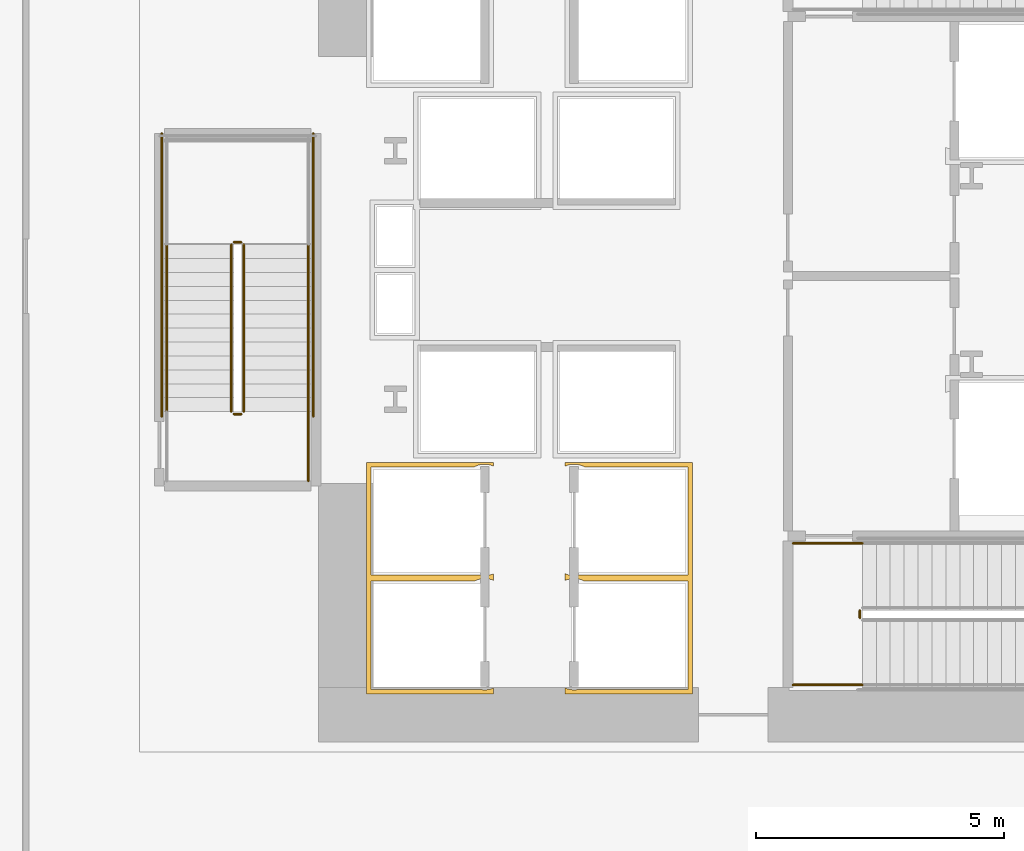
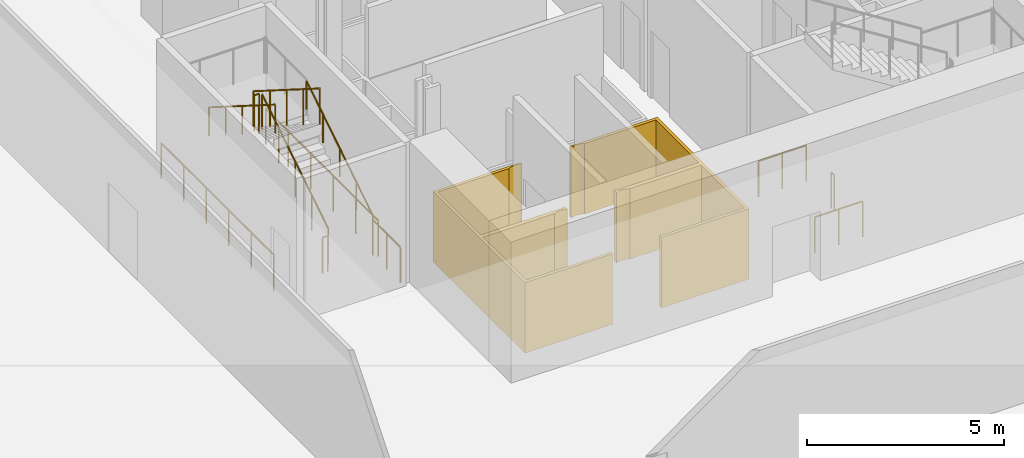
# One storey, part 11 of 18: 12 railings, 2 coverings.
"""IFC4 building model written with IfcOpenShell, lengths in metres."""

from ifc_helpers import new_model, si_unit, direction, frame, origin, origin_2d, place, context, subcontext, project, spatial, polyline, circle, outline, extrude, material, layer, layer_set, type_object, element, save


model = new_model("IFC4")

# Units and contexts
model_context = context("Model", 3, precision=1e-05, world=origin(), true_north=direction((0.0, 1.0)))
body_context = subcontext(model_context, "Body", "Model", "MODEL_VIEW")
ifc_project = project(units=[si_unit("LENGTHUNIT", "METRE"), si_unit("AREAUNIT", "SQUARE_METRE"), si_unit("VOLUMEUNIT", "CUBIC_METRE"), si_unit("PLANEANGLEUNIT", "RADIAN"), si_unit("MASSUNIT", "GRAM", prefix="KILO")], contexts=[model_context])

# Site, building, storey
site_placement = place(None, origin())
site = spatial("IfcSite", under=ifc_project, at=site_placement, CompositionType="ELEMENT")
building_placement = place(site_placement, origin())
building = spatial("IfcBuilding", under=site, at=building_placement, Name="Valkerne Bourse Tower", CompositionType="ELEMENT")
storey_placement = place(building_placement, frame((0.0, 0.0, 10.199951171875)))
storey = spatial("IfcBuildingStorey", under=building, at=storey_placement, Name="L02", CompositionType="ELEMENT", Elevation=10.199951171875)

# Coverings
ifc_material_1 = material(Name="Gypsum Shaftwall Liner Board", Category="gypsum")
ifc_layer = layer(ifc_material_1, 0.080078125)
ifc_layer_set = layer_set([ifc_layer], Name="Gypsum Shaftwall Liner Board")
covering_type = type_object("IfcCoveringType", Name="COV-SHF-CLAD", PredefinedType="CLADDING", material=ifc_layer_set)
covering_1_placement = place(storey_placement, origin())
element("IfcCovering", 1, at=covering_1_placement, inside=storey, type_object=covering_type, Name="L02 Hoistway & Riser Shaftwall Liner 01", PredefinedType="CLADDING", context=body_context, shape_type="SweptSolid", body=[
    extrude(outline(polyline([(38.169921875, 23.1298828125), (40.72998046875, 23.1298828125), (40.72998046875, 23.052001953125), (40.72216796875, 23.0556640625), (40.6806640625, 23.070556640625), (40.6376953125, 23.081298828125), (40.593994140625, 23.087890625), (40.550048828125, 23.090087890625), (40.505859375, 23.087890625), (40.462158203125, 23.081298828125), (40.41943359375, 23.070556640625), (40.377685546875, 23.0556640625), (40.344482421875, 23.0400390625), (38.260009765625, 23.0400390625), (38.260009765625, 20.860107421875), (40.456787109375, 20.860107421875), (40.462158203125, 20.858642578125), (40.505859375, 20.852294921875), (40.550048828125, 20.85009765625), (40.593994140625, 20.852294921875), (40.6376953125, 20.858642578125), (40.6806640625, 20.869384765625), (40.72216796875, 20.88427734375), (40.72998046875, 20.887939453125), (40.72998046875, 20.830078125), (40.72998046875, 20.77001953125), (40.72998046875, 20.752197265625), (40.72216796875, 20.755615234375), (40.6806640625, 20.7705078125), (40.6376953125, 20.781494140625), (40.593994140625, 20.787841796875), (40.550048828125, 20.7900390625), (40.505859375, 20.787841796875), (40.462158203125, 20.781494140625), (40.41943359375, 20.7705078125), (40.377685546875, 20.755615234375), (40.344482421875, 20.739990234375), (38.260009765625, 20.739990234375), (38.260009765625, 18.56005859375), (40.456787109375, 18.56005859375), (40.462158203125, 18.55859375), (40.505859375, 18.55224609375), (40.550048828125, 18.550048828125), (40.593994140625, 18.55224609375), (40.6376953125, 18.55859375), (40.6806640625, 18.5693359375), (40.72216796875, 18.584228515625), (40.72998046875, 18.587890625), (40.72998046875, 18.469970703125), (38.169921875, 18.469970703125), (38.169921875, 20.77001953125), (38.169921875, 20.830078125), (38.169921875, 23.1298828125)])), origin(), (0.0, 0.0, 1.0), 2.179931640625),
])
covering_2_placement = place(storey_placement, origin())
element("IfcCovering", 2, at=covering_2_placement, inside=storey, type_object=covering_type, Name="L02 Hoistway & Riser Shaftwall Liner 06", PredefinedType="CLADDING", context=body_context, shape_type="SweptSolid", body=[
    extrude(outline(polyline([(42.169921875, 20.830078125), (42.169921875, 20.887939453125), (42.177734375, 20.88427734375), (42.219482421875, 20.869384765625), (42.26220703125, 20.858642578125), (42.305908203125, 20.852294921875), (42.35009765625, 20.85009765625), (42.39404296875, 20.852294921875), (42.437744140625, 20.858642578125), (42.443115234375, 20.860107421875), (44.639892578125, 20.860107421875), (44.639892578125, 23.0400390625), (42.555419921875, 23.0400390625), (42.522216796875, 23.0556640625), (42.480712890625, 23.070556640625), (42.437744140625, 23.081298828125), (42.39404296875, 23.087890625), (42.35009765625, 23.090087890625), (42.305908203125, 23.087890625), (42.26220703125, 23.081298828125), (42.219482421875, 23.070556640625), (42.177734375, 23.0556640625), (42.169921875, 23.052001953125), (42.169921875, 23.1298828125), (44.72998046875, 23.1298828125), (44.72998046875, 20.830078125), (44.72998046875, 20.77001953125), (44.72998046875, 18.469970703125), (42.169921875, 18.469970703125), (42.169921875, 18.587890625), (42.177734375, 18.584228515625), (42.219482421875, 18.5693359375), (42.26220703125, 18.55859375), (42.305908203125, 18.55224609375), (42.35009765625, 18.550048828125), (42.39404296875, 18.55224609375), (42.437744140625, 18.55859375), (42.443115234375, 18.56005859375), (44.639892578125, 18.56005859375), (44.639892578125, 20.739990234375), (42.555419921875, 20.739990234375), (42.522216796875, 20.755615234375), (42.480712890625, 20.7705078125), (42.437744140625, 20.781494140625), (42.39404296875, 20.787841796875), (42.35009765625, 20.7900390625), (42.305908203125, 20.787841796875), (42.26220703125, 20.781494140625), (42.219482421875, 20.7705078125), (42.177734375, 20.755615234375), (42.169921875, 20.752197265625), (42.169921875, 20.77001953125), (42.169921875, 20.830078125)])), origin(), (0.0, 0.0, 1.0), 2.179931640625),
])

# Railings
ifc_material_2 = material(Name="Galvanised Painted Steel", Category="steel")
railing_type_1 = type_object("IfcRailingType", Name="RLG-ST-GUARD-1120", PredefinedType="GUARDRAIL", material=ifc_material_2)
railing_1_placement = place(storey_placement, frame((48.10009765625, 20.0, 0.0)))
element("IfcRailing", 3, at=railing_1_placement, inside=storey, type_object=railing_type_1, Name="L02 ST-1 stair guard 7", PredefinedType="GUARDRAIL", context=body_context, shape_type="SweptSolid", body=[
    extrude(circle(Radius=0.02392578125, at=origin_2d()), frame((0.0, 0.0, 1.09619140625), z_axis=(0.0, 1.0, 0.0), x_axis=(-1.0, 0.0, 0.0)), (0.0, 0.0, 1.0), 0.14990234375),
    extrude(circle(Radius=0.02099609375, at=origin_2d()), origin(), (0.0, 0.0, 1.0), 1.072021484375),
    extrude(circle(Radius=0.02099609375, at=origin_2d()), frame((0.0, 0.14990234375, 0.0)), (0.0, 0.0, 1.0), 1.072021484375),
])
for number, where, name in (
    (4, (46.75, 18.64990234375, 0.0), "L02 ST-1 stair guard 8"),
    (5, (46.75, 21.5, 0.0), "L02 ST-1 stair guard 9"),
):
    element("IfcRailing", number, at=place(storey_placement, frame(where)), inside=storey, type_object=railing_type_1, Name=name, PredefinedType="GUARDRAIL", context=body_context, shape_type="SweptSolid", body=[
        extrude(circle(Radius=0.02392578125, at=origin_2d()), frame((0.0, 0.0, 1.09619140625), z_axis=(1.0, 0.0, 0.0), x_axis=(0.0, 1.0, 0.0)), (0.0, 0.0, 1.0), 1.39990234375),
        extrude(circle(Radius=0.02099609375, at=origin_2d()), origin(), (0.0, 0.0, 1.0), 1.072021484375),
        extrude(circle(Radius=0.02099609375, at=origin_2d()), frame((0.699951171875, 0.0, 0.0)), (0.0, 0.0, 1.0), 1.072021484375),
        extrude(circle(Radius=0.02099609375, at=origin_2d()), frame((1.39990234375, 0.0, 0.0)), (0.0, 0.0, 1.0), 1.072021484375),
    ])
railing_2_placement = place(storey_placement, frame((35.699951171875, 24.14990234375, 0.177001953125)))
element("IfcRailing", 6, at=railing_2_placement, inside=storey, type_object=railing_type_1, Name="L02 ST-3 stair guard 1", PredefinedType="GUARDRAIL", context=body_context, shape_type="SweptSolid", body=[
    extrude(circle(Radius=0.02392578125, at=origin_2d()), frame((0.0, 0.0, 1.09619140625), z_axis=(0.0, 0.845389635667, 0.534150132366), x_axis=(-1.0, 0.0, 0.0)), (0.0, 0.0, 1.0), 3.974609375),
    extrude(circle(Radius=0.02099609375, at=origin_2d()), origin(), (0.0, 0.0, 1.0), 1.072021484375),
    extrude(circle(Radius=0.02099609375, at=origin_2d()), frame((0.0, 0.840087890625, 0.53076171875)), (0.0, 0.0, 1.0), 1.072021484375),
    extrude(circle(Radius=0.02099609375, at=origin_2d()), frame((0.0, 1.68017578125, 1.0615234375)), (0.0, 0.0, 1.0), 1.072021484375),
    extrude(circle(Radius=0.02099609375, at=origin_2d()), frame((0.0, 2.52001953125, 1.59228515625)), (0.0, 0.0, 1.0), 1.072021484375),
    extrude(circle(Radius=0.02099609375, at=origin_2d()), frame((0.0, 3.360107421875, 2.123046875)), (0.0, 0.0, 1.0), 1.072021484375),
])
railing_3_placement = place(storey_placement, frame((35.64990234375, 27.56005859375, 2.300048828125)))
element("IfcRailing", 7, at=railing_3_placement, inside=storey, type_object=railing_type_1, Name="L02 ST-3 stair guard 2", PredefinedType="GUARDRAIL", context=body_context, shape_type="SweptSolid", body=[
    extrude(circle(Radius=0.02392578125, at=origin_2d()), frame((0.0, 0.0, 1.09619140625), z_axis=(-1.0, 0.0, 0.0), x_axis=(0.0, -1.0, 0.0)), (0.0, 0.0, 1.0), 0.14990234375),
    extrude(circle(Radius=0.02099609375, at=origin_2d()), origin(), (0.0, 0.0, 1.0), 1.072021484375),
    extrude(circle(Radius=0.02099609375, at=origin_2d()), frame((-0.14990234375, 0.0, 0.0)), (0.0, 0.0, 1.0), 1.072021484375),
])
railing_4_placement = place(storey_placement, frame((35.449951171875, 27.510009765625, 2.47705078125)))
element("IfcRailing", 8, at=railing_4_placement, inside=storey, type_object=railing_type_1, Name="L02 ST-3 stair guard 6", PredefinedType="GUARDRAIL", context=body_context, shape_type="SweptSolid", body=[
    extrude(circle(Radius=0.02392578125, at=origin_2d()), frame((0.0, 0.0, 1.09619140625), z_axis=(0.0, -0.845389635667, 0.534150132366), x_axis=(1.0, 0.0, 0.0)), (0.0, 0.0, 1.0), 3.974609375),
    extrude(circle(Radius=0.02099609375, at=origin_2d()), origin(), (0.0, 0.0, 1.0), 1.072021484375),
    extrude(circle(Radius=0.02099609375, at=origin_2d()), frame((0.0, -0.840087890625, 0.53076171875)), (0.0, 0.0, 1.0), 1.072021484375),
    extrude(circle(Radius=0.02099609375, at=origin_2d()), frame((0.0, -1.68017578125, 1.0615234375)), (0.0, 0.0, 1.0), 1.072021484375),
    extrude(circle(Radius=0.02099609375, at=origin_2d()), frame((0.0, -2.52001953125, 1.59228515625)), (0.0, 0.0, 1.0), 1.072021484375),
    extrude(circle(Radius=0.02099609375, at=origin_2d()), frame((0.0, -3.360107421875, 2.123046875)), (0.0, 0.0, 1.0), 1.072021484375),
])
railing_5_placement = place(storey_placement, frame((35.64990234375, 24.10009765625, 0.0)))
element("IfcRailing", 9, at=railing_5_placement, inside=storey, type_object=railing_type_1, Name="L02 ST-3 stair guard 7", PredefinedType="GUARDRAIL", context=body_context, shape_type="SweptSolid", body=[
    extrude(circle(Radius=0.02392578125, at=origin_2d()), frame((0.0, 0.0, 1.09619140625), z_axis=(-1.0, 0.0, 0.0), x_axis=(0.0, -1.0, 0.0)), (0.0, 0.0, 1.0), 0.14990234375),
    extrude(circle(Radius=0.02099609375, at=origin_2d()), origin(), (0.0, 0.0, 1.0), 1.072021484375),
    extrude(circle(Radius=0.02099609375, at=origin_2d()), frame((-0.14990234375, 0.0, 0.0)), (0.0, 0.0, 1.0), 1.072021484375),
])
railing_6_placement = place(storey_placement, frame((37.0, 22.75, 0.0)))
element("IfcRailing", 10, at=railing_6_placement, inside=storey, type_object=railing_type_1, Name="L02 ST-3 stair guard 8", PredefinedType="GUARDRAIL", context=body_context, shape_type="SweptSolid", body=[
    extrude(circle(Radius=0.02392578125, at=origin_2d()), frame((0.0, 0.0, 1.09619140625), z_axis=(0.0, 1.0, 0.0), x_axis=(-1.0, 0.0, 0.0)), (0.0, 0.0, 1.0), 1.39990234375),
    extrude(circle(Radius=0.02099609375, at=origin_2d()), origin(), (0.0, 0.0, 1.0), 1.072021484375),
    extrude(circle(Radius=0.02099609375, at=origin_2d()), frame((0.0, 0.699951171875, 0.0)), (0.0, 0.0, 1.0), 1.072021484375),
    extrude(circle(Radius=0.02099609375, at=origin_2d()), frame((0.0, 1.39990234375, 0.0)), (0.0, 0.0, 1.0), 1.072021484375),
])
for number, where, name in (
    (11, (37.10009765625, 24.050048828125, 0.0), "L02 ST-3 stair guard 10"),
    (12, (34.050048828125, 24.050048828125, 0.0), "L02 ST-3 stair guard 11"),
):
    element("IfcRailing", number, at=place(storey_placement, frame(where)), inside=storey, type_object=railing_type_1, Name=name, PredefinedType="GUARDRAIL", context=body_context, shape_type="SweptSolid", body=[
        extrude(circle(Radius=0.02392578125, at=origin_2d()), frame((0.0, 0.0, 1.09619140625), z_axis=(0.0, 1.0, 0.0), x_axis=(-1.0, 0.0, 0.0)), (0.0, 0.0, 1.0), 5.699951171875),
        extrude(circle(Radius=0.02099609375, at=origin_2d()), origin(), (0.0, 0.0, 1.0), 1.072021484375),
        extrude(circle(Radius=0.02099609375, at=origin_2d()), frame((0.0, 1.139892578125, 0.0)), (0.0, 0.0, 1.0), 1.072021484375),
        extrude(circle(Radius=0.02099609375, at=origin_2d()), frame((0.0, 2.280029296875, 0.0)), (0.0, 0.0, 1.0), 1.072021484375),
        extrude(circle(Radius=0.02099609375, at=origin_2d()), frame((0.0, 3.419921875, 0.0)), (0.0, 0.0, 1.0), 1.072021484375),
        extrude(circle(Radius=0.02099609375, at=origin_2d()), frame((0.0, 4.56005859375, 0.0)), (0.0, 0.0, 1.0), 1.072021484375),
        extrude(circle(Radius=0.02099609375, at=origin_2d()), frame((0.0, 5.699951171875, 0.0)), (0.0, 0.0, 1.0), 1.072021484375),
    ])
ifc_material_3 = material(Name="Stainless Steel AISI 316", Category="steel")
railing_type_2 = type_object("IfcRailingType", Name="RLG-ST-HANDRAIL-900", PredefinedType="HANDRAIL", material=ifc_material_3)
railing_7_placement = place(storey_placement, frame((37.0, 24.14990234375, 0.35400390625)))
element("IfcRailing", 13, at=railing_7_placement, inside=storey, type_object=railing_type_2, Name="L02 ST-3 stair handrail 1", PredefinedType="HANDRAIL", context=body_context, shape_type="SweptSolid", body=[
    extrude(circle(Radius=0.02392578125, at=origin_2d()), frame((0.0, 0.0, 0.8759765625), z_axis=(0.0, 0.845389635667, 0.534150132366), x_axis=(-1.0, 0.0, 0.0)), (0.0, 0.0, 1.0), 3.974609375),
    extrude(circle(Radius=0.02099609375, at=origin_2d()), origin(), (0.0, 0.0, 1.0), 0.851806640625),
    extrude(circle(Radius=0.02099609375, at=origin_2d()), frame((0.0, 0.840087890625, 0.53076171875)), (0.0, 0.0, 1.0), 0.851806640625),
    extrude(circle(Radius=0.02099609375, at=origin_2d()), frame((0.0, 1.68017578125, 1.0615234375)), (0.0, 0.0, 1.0), 0.851806640625),
    extrude(circle(Radius=0.02099609375, at=origin_2d()), frame((0.0, 2.52001953125, 1.59228515625)), (0.0, 0.0, 1.0), 0.851806640625),
    extrude(circle(Radius=0.02099609375, at=origin_2d()), frame((0.0, 3.360107421875, 2.123046875)), (0.0, 0.0, 1.0), 0.851806640625),
])
railing_8_placement = place(storey_placement, frame((34.14990234375, 27.510009765625, 2.65380859375)))
element("IfcRailing", 14, at=railing_8_placement, inside=storey, type_object=railing_type_2, Name="L02 ST-3 stair handrail 2", PredefinedType="HANDRAIL", context=body_context, shape_type="SweptSolid", body=[
    extrude(circle(Radius=0.02392578125, at=origin_2d()), frame((0.0, 0.0, 0.8759765625), z_axis=(0.0, -0.845389635667, 0.534150132366), x_axis=(1.0, 0.0, 0.0)), (0.0, 0.0, 1.0), 3.974609375),
    extrude(circle(Radius=0.02099609375, at=origin_2d()), origin(), (0.0, 0.0, 1.0), 0.851806640625),
    extrude(circle(Radius=0.02099609375, at=origin_2d()), frame((0.0, -0.840087890625, 0.53076171875)), (0.0, 0.0, 1.0), 0.851806640625),
    extrude(circle(Radius=0.02099609375, at=origin_2d()), frame((0.0, -1.68017578125, 1.0615234375)), (0.0, 0.0, 1.0), 0.851806640625),
    extrude(circle(Radius=0.02099609375, at=origin_2d()), frame((0.0, -2.52001953125, 1.59228515625)), (0.0, 0.0, 1.0), 0.851806640625),
    extrude(circle(Radius=0.02099609375, at=origin_2d()), frame((0.0, -3.360107421875, 2.123046875)), (0.0, 0.0, 1.0), 0.851806640625),
])

save(model, "model.ifc")
